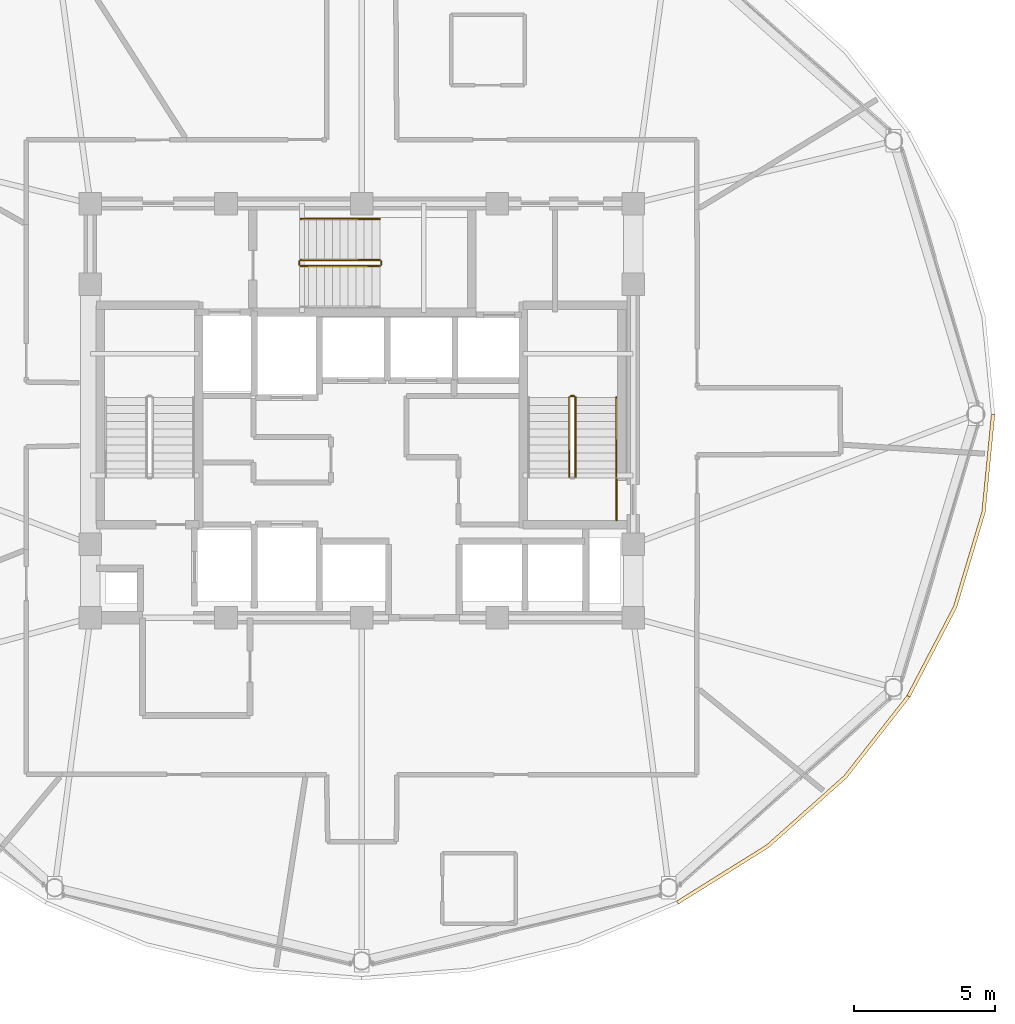
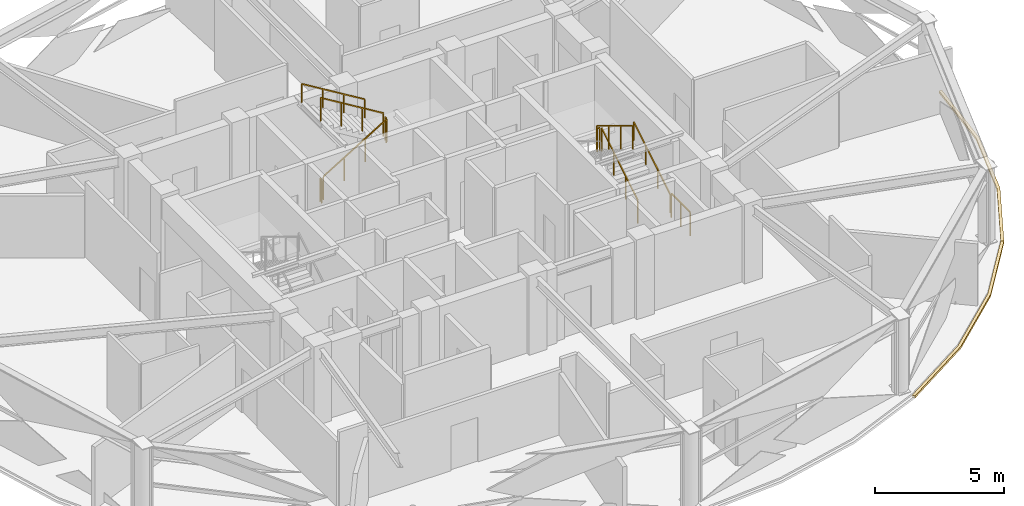
# One storey, part 27 of 28: 10 railings, 2 coverings.
"""IFC4 building model written with IfcOpenShell, lengths in metres."""

from ifc_helpers import new_model, si_unit, direction, frame, origin, origin_2d, place, context, subcontext, project, spatial, polyline, rectangle, outline, extrude, material, layer, layer_set, type_object, element, save


model = new_model("IFC4")

# Units and contexts
model_context = context("Model", 3, precision=1e-05, world=origin(), true_north=direction((0.0, 1.0)))
body_context = subcontext(model_context, "Body", "Model", "MODEL_VIEW")
ifc_project = project(units=[si_unit("LENGTHUNIT", "METRE"), si_unit("AREAUNIT", "SQUARE_METRE"), si_unit("VOLUMEUNIT", "CUBIC_METRE"), si_unit("PLANEANGLEUNIT", "RADIAN"), si_unit("MASSUNIT", "GRAM", prefix="KILO")], contexts=[model_context])

# Site, building, storey
site_placement = place(None, origin())
site = spatial("IfcSite", under=ifc_project, at=site_placement, CompositionType="ELEMENT")
building_placement = place(site_placement, origin())
building = spatial("IfcBuilding", under=site, at=building_placement, Name="Vantalir Tower", CompositionType="ELEMENT")
storey_placement = place(building_placement, frame((0.0, 0.0, 246.14990234375)))
storey = spatial("IfcBuildingStorey", under=building, at=storey_placement, Name="L62", CompositionType="ELEMENT", Elevation=246.14990234375)

# Coverings
ifc_material_1 = material(Name="Anodised champagne aluminium sill fascia", Category="aluminium")
ifc_layer = layer(ifc_material_1, 0.125)
ifc_layer_set = layer_set([ifc_layer], Name="Anodised champagne aluminium sill fascia")
covering_type = type_object("IfcCoveringType", Name="COV-SLAB-FASCIA-125", PredefinedType="CLADDING", material=ifc_layer_set)
covering_1_placement = place(storey_placement, frame((0.0, 0.0, -0.179931640625)))
element("IfcCovering", 1, at=covering_1_placement, inside=storey, type_object=covering_type, Name="L62 Perimeter Slab-Edge Sill Fascia 11", PredefinedType="CLADDING", context=body_context, shape_type="SweptSolid", body=[
    extrude(outline(polyline([(42.697021484375, 7.673095703125), (45.89404296875, 9.673095703125), (48.654052734375, 12.138916015625), (50.89306640625, 14.99609375), (50.784912109375, 15.05810546875), (48.55810546875, 12.218994140625), (45.81396484375, 9.76904296875), (42.634033203125, 7.781005859375), (42.697021484375, 7.673095703125)])), origin(), (0.0, 0.0, 1.0), 0.10498046875),
])
covering_2_placement = place(storey_placement, frame((0.0, 0.0, -0.179931640625)))
element("IfcCovering", 2, at=covering_2_placement, inside=storey, type_object=covering_type, Name="L62 Perimeter Slab-Edge Sill Fascia 12", PredefinedType="CLADDING", context=body_context, shape_type="SweptSolid", body=[
    extrude(outline(polyline([(50.89306640625, 14.99609375), (52.54296875, 18.156982421875), (53.552978515625, 21.52587890625), (53.89306640625, 25.0), (53.76806640625, 25.0), (53.429931640625, 21.547119140625), (52.425048828125, 18.199951171875), (50.784912109375, 15.05810546875), (50.89306640625, 14.99609375)])), origin(), (0.0, 0.0, 1.0), 0.10498046875),
])

# Railings
ifc_material_2 = material(Name="Anodised aluminium and stainless steel guard", Category="steel")
railing_type_1 = type_object("IfcRailingType", Name="RAL-GUARD-1120", PredefinedType="GUARDRAIL", material=ifc_material_2)
railing_1_placement = place(storey_placement, frame((39.06005859375, 22.7900390625, 0.170654296875)))
element("IfcRailing", 3, at=railing_1_placement, inside=storey, type_object=railing_type_1, Name="L62 ST2 stair guard 1", PredefinedType="GUARDRAIL", context=body_context, shape_type="SweptSolid", body=[
    extrude(rectangle(XDim=0.048095703125, YDim=0.048095703125, at=origin_2d()), frame((0.0, 0.0, 1.09619140625), z_axis=(0.0, 0.854202870247, 0.519939858505), x_axis=(-1.0, 0.0, 0.0)), (0.0, 0.0, 1.0), 3.278076171875),
    extrude(rectangle(XDim=0.0419921875, YDim=0.0419921875, at=origin_2d()), origin(), (0.0, 0.0, 1.0), 1.072021484375),
    extrude(rectangle(XDim=0.0419921875, YDim=0.0419921875, at=origin_2d()), frame((0.0, 0.933349609375, 0.568115234375)), (0.0, 0.0, 1.0), 1.072021484375),
    extrude(rectangle(XDim=0.0419921875, YDim=0.0419921875, at=origin_2d()), frame((0.0, 1.86669921875, 1.13623046875)), (0.0, 0.0, 1.0), 1.072021484375),
    extrude(rectangle(XDim=0.0419921875, YDim=0.0419921875, at=origin_2d()), frame((0.0, 2.800048828125, 1.704345703125)), (0.0, 0.0, 1.0), 1.072021484375),
])
railing_2_placement = place(storey_placement, frame((39.010009765625, 25.639892578125, 1.875)))
element("IfcRailing", 4, at=railing_2_placement, inside=storey, type_object=railing_type_1, Name="L62 ST2 stair guard 2", PredefinedType="GUARDRAIL", context=body_context, shape_type="SweptSolid", body=[
    extrude(rectangle(XDim=0.048095703125, YDim=0.048095703125, at=origin_2d()), frame((0.0, 0.0, 1.09619140625), z_axis=(-1.0, 0.0, 0.0), x_axis=(0.0, -1.0, 0.0)), (0.0, 0.0, 1.0), 0.1201171875),
    extrude(rectangle(XDim=0.0419921875, YDim=0.0419921875, at=origin_2d()), origin(), (0.0, 0.0, 1.0), 1.072021484375),
    extrude(rectangle(XDim=0.0419921875, YDim=0.0419921875, at=origin_2d()), frame((-0.1201171875, 0.0, 0.0)), (0.0, 0.0, 1.0), 1.072021484375),
])
railing_3_placement = place(storey_placement, frame((38.840087890625, 25.590087890625, 2.045654296875)))
element("IfcRailing", 5, at=railing_3_placement, inside=storey, type_object=railing_type_1, Name="L62 ST2 stair guard 3", PredefinedType="GUARDRAIL", context=body_context, shape_type="SweptSolid", body=[
    extrude(rectangle(XDim=0.048095703125, YDim=0.048095703125, at=origin_2d()), frame((0.0, 0.0, 1.09619140625), z_axis=(0.0, -0.854202870247, 0.519939858505), x_axis=(1.0, 0.0, 0.0)), (0.0, 0.0, 1.0), 3.278076171875),
    extrude(rectangle(XDim=0.0419921875, YDim=0.0419921875, at=origin_2d()), origin(), (0.0, 0.0, 1.0), 1.072021484375),
    extrude(rectangle(XDim=0.0419921875, YDim=0.0419921875, at=origin_2d()), frame((0.0, -0.933349609375, 0.568115234375)), (0.0, 0.0, 1.0), 1.072021484375),
    extrude(rectangle(XDim=0.0419921875, YDim=0.0419921875, at=origin_2d()), frame((0.0, -1.86669921875, 1.13623046875)), (0.0, 0.0, 1.0), 1.072021484375),
    extrude(rectangle(XDim=0.0419921875, YDim=0.0419921875, at=origin_2d()), frame((0.0, -2.800048828125, 1.704345703125)), (0.0, 0.0, 1.0), 1.072021484375),
])
railing_4_placement = place(storey_placement, frame((29.340087890625, 30.239990234375, 0.170654296875)))
element("IfcRailing", 6, at=railing_4_placement, inside=storey, type_object=railing_type_1, Name="L62 ST3 stair guard 1", PredefinedType="GUARDRAIL", context=body_context, shape_type="SweptSolid", body=[
    extrude(rectangle(XDim=0.048095703125, YDim=0.048095703125, at=origin_2d()), frame((0.0, 0.0, 1.09619140625), z_axis=(0.854182733786, 0.0, 0.519972939009), x_axis=(0.0, 1.0, 0.0)), (0.0, 0.0, 1.0), 3.27783203125),
    extrude(rectangle(XDim=0.0419921875, YDim=0.0419921875, at=origin_2d()), origin(), (0.0, 0.0, 1.0), 1.072021484375),
    extrude(rectangle(XDim=0.0419921875, YDim=0.0419921875, at=origin_2d()), frame((0.933349609375, 0.0, 0.568115234375)), (0.0, 0.0, 1.0), 1.072021484375),
    extrude(rectangle(XDim=0.0419921875, YDim=0.0419921875, at=origin_2d()), frame((1.866455078125, 0.0, 1.13623046875)), (0.0, 0.0, 1.0), 1.072021484375),
    extrude(rectangle(XDim=0.0419921875, YDim=0.0419921875, at=origin_2d()), frame((2.7998046875, 0.0, 1.704345703125)), (0.0, 0.0, 1.0), 1.072021484375),
])
railing_5_placement = place(storey_placement, frame((32.18994140625, 30.2900390625, 1.875)))
element("IfcRailing", 7, at=railing_5_placement, inside=storey, type_object=railing_type_1, Name="L62 ST3 stair guard 2", PredefinedType="GUARDRAIL", context=body_context, shape_type="SweptSolid", body=[
    extrude(rectangle(XDim=0.048095703125, YDim=0.048095703125, at=origin_2d()), frame((0.0, 0.0, 1.09619140625), z_axis=(0.0, 1.0, 0.0), x_axis=(-1.0, 0.0, 0.0)), (0.0, 0.0, 1.0), 0.119873046875),
    extrude(rectangle(XDim=0.0419921875, YDim=0.0419921875, at=origin_2d()), origin(), (0.0, 0.0, 1.0), 1.072021484375),
    extrude(rectangle(XDim=0.0419921875, YDim=0.0419921875, at=origin_2d()), frame((0.0, 0.119873046875, 0.0)), (0.0, 0.0, 1.0), 1.072021484375),
])
railing_6_placement = place(storey_placement, frame((32.139892578125, 30.4599609375, 2.045654296875)))
element("IfcRailing", 8, at=railing_6_placement, inside=storey, type_object=railing_type_1, Name="L62 ST3 stair guard 3", PredefinedType="GUARDRAIL", context=body_context, shape_type="SweptSolid", body=[
    extrude(rectangle(XDim=0.048095703125, YDim=0.048095703125, at=origin_2d()), frame((0.0, 0.0, 1.09619140625), z_axis=(-0.854182733786, 0.0, 0.519972939009), x_axis=(0.0, -1.0, 0.0)), (0.0, 0.0, 1.0), 3.27783203125),
    extrude(rectangle(XDim=0.0419921875, YDim=0.0419921875, at=origin_2d()), origin(), (0.0, 0.0, 1.0), 1.072021484375),
    extrude(rectangle(XDim=0.0419921875, YDim=0.0419921875, at=origin_2d()), frame((-0.933349609375, 0.0, 0.568115234375)), (0.0, 0.0, 1.0), 1.072021484375),
    extrude(rectangle(XDim=0.0419921875, YDim=0.0419921875, at=origin_2d()), frame((-1.866455078125, 0.0, 1.13623046875)), (0.0, 0.0, 1.0), 1.072021484375),
    extrude(rectangle(XDim=0.0419921875, YDim=0.0419921875, at=origin_2d()), frame((-2.7998046875, 0.0, 1.704345703125)), (0.0, 0.0, 1.0), 1.072021484375),
])
railing_7_placement = place(storey_placement, frame((29.2900390625, 30.2900390625, 0.0)))
element("IfcRailing", 9, at=railing_7_placement, inside=storey, type_object=railing_type_1, Name="L62 ST3 stair guard 4", PredefinedType="GUARDRAIL", context=body_context, shape_type="SweptSolid", body=[
    extrude(rectangle(XDim=0.048095703125, YDim=0.048095703125, at=origin_2d()), frame((0.0, 0.0, 1.09619140625), z_axis=(0.0, 1.0, 0.0), x_axis=(-1.0, 0.0, 0.0)), (0.0, 0.0, 1.0), 0.119873046875),
    extrude(rectangle(XDim=0.0419921875, YDim=0.0419921875, at=origin_2d()), origin(), (0.0, 0.0, 1.0), 1.072021484375),
    extrude(rectangle(XDim=0.0419921875, YDim=0.0419921875, at=origin_2d()), frame((0.0, 0.119873046875, 0.0)), (0.0, 0.0, 1.0), 1.072021484375),
])
railing_8_placement = place(storey_placement, frame((40.510009765625, 21.260009765625, 0.0)))
element("IfcRailing", 10, at=railing_8_placement, inside=storey, type_object=railing_type_1, Name="L62 Stair ST2 Doorway Landing Guard", PredefinedType="GUARDRAIL", context=body_context, shape_type="SweptSolid", body=[
    extrude(rectangle(XDim=0.048095703125, YDim=0.048095703125, at=origin_2d()), frame((0.0, 0.0, 1.1259765625), z_axis=(0.0, 1.0, 0.0), x_axis=(-1.0, 0.0, 0.0)), (0.0, 0.0, 1.0), 1.43994140625),
    extrude(rectangle(XDim=0.0419921875, YDim=0.0419921875, at=origin_2d()), origin(), (0.0, 0.0, 1.0), 1.101806640625),
    extrude(rectangle(XDim=0.0419921875, YDim=0.0419921875, at=origin_2d()), frame((0.0, 0.719970703125, 0.0)), (0.0, 0.0, 1.0), 1.101806640625),
    extrude(rectangle(XDim=0.0419921875, YDim=0.0419921875, at=origin_2d()), frame((0.0, 1.43994140625, 0.0)), (0.0, 0.0, 1.0), 1.101806640625),
])
ifc_material_3 = material(Name="Brushed stainless steel tubular handrail", Category="steel")
railing_type_2 = type_object("IfcRailingType", Name="RAL-HANDRAIL-900", PredefinedType="HANDRAIL", material=ifc_material_3)
railing_9_placement = place(storey_placement, frame((40.5, 22.7900390625, 0.170654296875)))
element("IfcRailing", 11, at=railing_9_placement, inside=storey, type_object=railing_type_2, Name="L62 ST2 stair handrail 1", PredefinedType="HANDRAIL", context=body_context, shape_type="SweptSolid", body=[
    extrude(rectangle(XDim=0.048095703125, YDim=0.048095703125, at=origin_2d()), frame((0.0, 0.0, 0.8759765625), z_axis=(0.0, 0.854202870247, 0.519939858505), x_axis=(-1.0, 0.0, 0.0)), (0.0, 0.0, 1.0), 3.278076171875),
    extrude(rectangle(XDim=0.0419921875, YDim=0.0419921875, at=origin_2d()), origin(), (0.0, 0.0, 1.0), 0.851806640625),
    extrude(rectangle(XDim=0.0419921875, YDim=0.0419921875, at=origin_2d()), frame((0.0, 0.933349609375, 0.568115234375)), (0.0, 0.0, 1.0), 0.851806640625),
    extrude(rectangle(XDim=0.0419921875, YDim=0.0419921875, at=origin_2d()), frame((0.0, 1.86669921875, 1.13623046875)), (0.0, 0.0, 1.0), 0.851806640625),
    extrude(rectangle(XDim=0.0419921875, YDim=0.0419921875, at=origin_2d()), frame((0.0, 2.800048828125, 1.704345703125)), (0.0, 0.0, 1.0), 0.851806640625),
])
railing_10_placement = place(storey_placement, frame((32.139892578125, 31.89990234375, 2.045654296875)))
element("IfcRailing", 12, at=railing_10_placement, inside=storey, type_object=railing_type_2, Name="L62 ST3 stair handrail 2", PredefinedType="HANDRAIL", context=body_context, shape_type="SweptSolid", body=[
    extrude(rectangle(XDim=0.048095703125, YDim=0.048095703125, at=origin_2d()), frame((0.0, 0.0, 0.8759765625), z_axis=(-0.854182733786, 0.0, 0.519972939009), x_axis=(0.0, -1.0, 0.0)), (0.0, 0.0, 1.0), 3.27783203125),
    extrude(rectangle(XDim=0.0419921875, YDim=0.0419921875, at=origin_2d()), origin(), (0.0, 0.0, 1.0), 0.851806640625),
    extrude(rectangle(XDim=0.0419921875, YDim=0.0419921875, at=origin_2d()), frame((-0.933349609375, 0.0, 0.568115234375)), (0.0, 0.0, 1.0), 0.851806640625),
    extrude(rectangle(XDim=0.0419921875, YDim=0.0419921875, at=origin_2d()), frame((-1.866455078125, 0.0, 1.13623046875)), (0.0, 0.0, 1.0), 0.851806640625),
    extrude(rectangle(XDim=0.0419921875, YDim=0.0419921875, at=origin_2d()), frame((-2.7998046875, 0.0, 1.704345703125)), (0.0, 0.0, 1.0), 0.851806640625),
])

save(model, "model.ifc")
